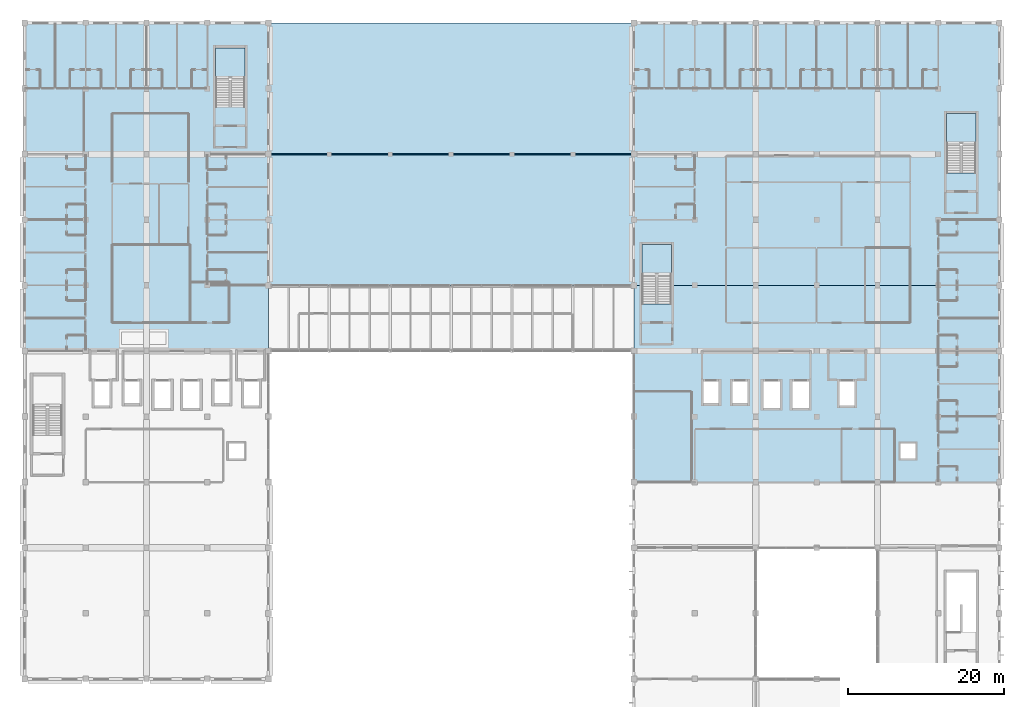
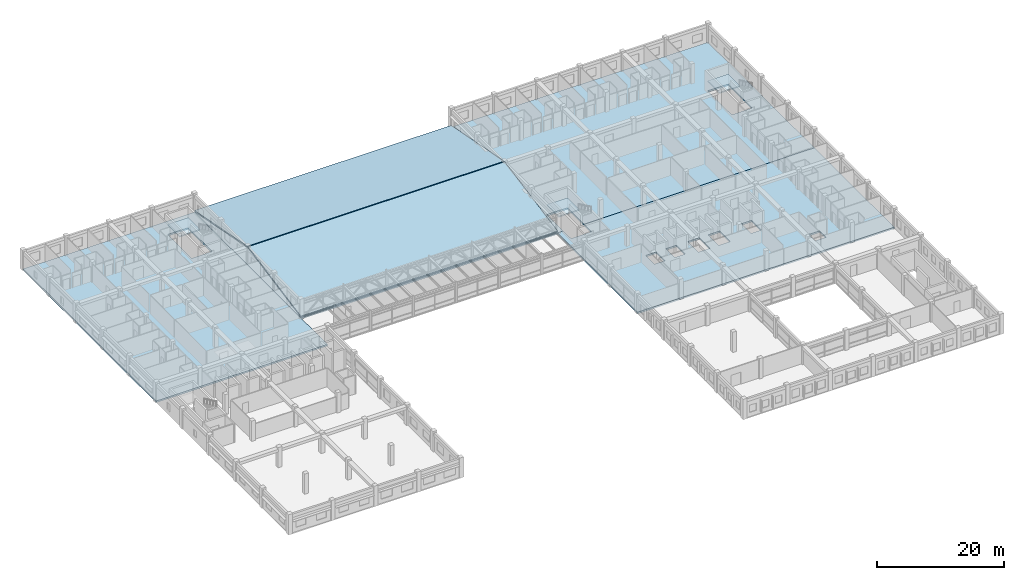
# One storey, part 43 of 72: 9 slabs, 3 elements without a shape of their own.
"""IFC4 building model written with IfcOpenShell, lengths in metres."""

from ifc_helpers import new_model, si_unit, direction, frame, origin, place, context, subcontext, project, spatial, polyline, outline, extrude, material, layer, layer_set, type_object, element, aggregate, save


model = new_model("IFC4")

# Units and contexts
model_context = context("Model", 3, precision=1e-05, world=origin(), true_north=direction((0.0, 1.0)))
body_context = subcontext(model_context, "Body", "Model", "MODEL_VIEW")
ifc_project = project(units=[si_unit("LENGTHUNIT", "METRE"), si_unit("AREAUNIT", "SQUARE_METRE"), si_unit("VOLUMEUNIT", "CUBIC_METRE"), si_unit("PLANEANGLEUNIT", "RADIAN"), si_unit("MASSUNIT", "GRAM", prefix="KILO"), si_unit("THERMODYNAMICTEMPERATUREUNIT", "KELVIN"), si_unit("POWERUNIT", "WATT")], contexts=[model_context])

# Site, building, storey
site_placement = place(None, origin())
site = spatial("IfcSite", under=ifc_project, at=site_placement, CompositionType="ELEMENT")
building_placement = place(site_placement, origin())
building = spatial("IfcBuilding", under=site, at=building_placement, Name="Srebrne Nadtorze General Hospital", CompositionType="ELEMENT")
storey_placement = place(building_placement, frame((0.0, 0.0, 22.199951171875)))
storey = spatial("IfcBuildingStorey", under=building, at=storey_placement, Name="L05", CompositionType="ELEMENT", Elevation=22.199951171875)

# Slabs
ifc_material_1 = material(Name="Concrete C35/45", Category="concrete")
ifc_layer_1 = layer(ifc_material_1, 0.27001953125)
ifc_layer_set_1 = layer_set([ifc_layer_1], Name="Concrete C35/45")
slab_type_1 = type_object("IfcSlabType", Name="Main roof slab 270", PredefinedType="ROOF", material=ifc_layer_set_1)
slab_1_placement = place(storey_placement, frame((0.0, 0.0, -0.27001953125)))
element("IfcSlab", 1, at=slab_1_placement, inside=storey, type_object=slab_type_1, Name="Volume ceiling roof slab RF-L04-01", PredefinedType="ROOF", context=body_context, shape_type="SweptSolid", body=[
    extrude(outline(polyline([(54.60009765625, 92.39990234375), (54.60009765625, 58.800048828125), (101.39990234375, 58.800048828125), (101.39990234375, 92.39990234375), (54.60009765625, 92.39990234375)])), origin(), (0.0, 0.0, 1.0), 0.27001953125),
])
ifc_material_2 = material(Name="Concrete C35/45", Category="concrete")
ifc_layer_2 = layer(ifc_material_2, 0.219970703125)
ifc_layer_set_2 = layer_set([ifc_layer_2], Name="Concrete C35/45")
slab_type_2 = type_object("IfcSlabType", Name="Pitched pavilion roof slab 220", PredefinedType="ROOF", material=ifc_layer_set_2)
for number, where, z_axis, x_axis, name in (
    (2, (54.60009765625, 58.800048828125, 0.35009765625), (0.0, -0.189674190771, 0.981847086544), (1.0, 0.0, 0.0), "Operating suite pitched roof slab RF-RP-SRG-S"),
    (3, (54.60009765625, 75.679931640625, 3.580078125), (0.0, 0.189674190771, 0.981847086544), (1.0, 0.0, 0.0), "Operating suite pitched roof slab RF-RP-SRG-N"),
):
    element("IfcSlab", number, at=place(storey_placement, frame(where, z_axis=z_axis, x_axis=x_axis)), inside=storey, type_object=slab_type_2, Name=name, PredefinedType="ROOF", context=body_context, shape_type="SweptSolid", body=[
        extrude(outline(polyline([(0.0, 0.0), (46.7998046875, 0.0), (46.7998046875, 17.029098453584226), (0.0, 17.029098453584226), (0.0, 0.0)])), origin(), (0.0, 0.0, -1.0), 0.219970703125),
    ])

# Stair, slab
ifc_material_3 = material(Name="Concrete C35/45", Category="concrete")
stair_type = type_object("IfcStairType", Name="Dog-leg escape stair 390", PredefinedType="HALF_TURN_STAIR", material=ifc_material_3)
stair_1_placement = place(storey_placement, origin())
stair_1 = element("IfcStair", 4, at=stair_1_placement, inside=storey, type_object=stair_type, Name="Escape stair ST-02-L05", PredefinedType="HALF_TURN_STAIR")
ifc_material_4 = material(Name="Concrete C35/45", Category="concrete")
ifc_layer_3 = layer(ifc_material_4, 0.219970703125)
ifc_layer_set_3 = layer_set([ifc_layer_3], Name="Concrete C35/45")
slab_type_3 = type_object("IfcSlabType", Name="Stair landing slab 220", PredefinedType="LANDING", material=ifc_layer_set_3)
slab_2_placement = place(storey_placement, frame((0.0, 0.0, 1.72998046875)))
slab_2 = element("IfcSlab", 5, at=slab_2_placement, type_object=slab_type_3, Name="ST-02 landing 1", PredefinedType="LANDING", context=body_context, shape_type="SweptSolid", body=[
    extrude(outline(polyline([(47.85009765625, 85.43994140625), (51.60009765625, 85.43994140625), (51.60009765625, 89.199951171875), (47.85009765625, 89.199951171875), (47.85009765625, 85.43994140625)])), origin(), (0.0, 0.0, 1.0), 0.219970703125),
])
aggregate(stair_1, [slab_2])

stair_2_placement = place(storey_placement, origin())
stair_2 = element("IfcStair", 6, at=stair_2_placement, inside=storey, type_object=stair_type, Name="Escape stair ST-03-L05", PredefinedType="HALF_TURN_STAIR")
slab_3_placement = place(storey_placement, frame((0.0, 0.0, 1.72998046875)))
slab_3 = element("IfcSlab", 7, at=slab_3_placement, type_object=slab_type_3, Name="ST-03 landing 1", PredefinedType="LANDING", context=body_context, shape_type="SweptSolid", body=[
    extrude(outline(polyline([(102.449951171875, 60.239990234375), (106.199951171875, 60.239990234375), (106.199951171875, 64.0), (102.449951171875, 64.0), (102.449951171875, 60.239990234375)])), origin(), (0.0, 0.0, 1.0), 0.219970703125),
])
aggregate(stair_2, [slab_3])

stair_3_placement = place(storey_placement, origin())
stair_3 = element("IfcStair", 8, at=stair_3_placement, inside=storey, type_object=stair_type, Name="Escape stair ST-04-L05", PredefinedType="HALF_TURN_STAIR")
slab_4_placement = place(storey_placement, frame((0.0, 0.0, 1.72998046875)))
slab_4 = element("IfcSlab", 9, at=slab_4_placement, type_object=slab_type_3, Name="ST-04 landing 1", PredefinedType="LANDING", context=body_context, shape_type="SweptSolid", body=[
    extrude(outline(polyline([(141.449951171875, 77.0400390625), (145.199951171875, 77.0400390625), (145.199951171875, 80.800048828125), (141.449951171875, 80.800048828125), (141.449951171875, 77.0400390625)])), origin(), (0.0, 0.0, 1.0), 0.219970703125),
])
aggregate(stair_3, [slab_4])

# Slabs
ifc_material_5 = material(Name="Concrete C35/45", Category="concrete")
ifc_layer_4 = layer(ifc_material_5, 0.31494140625)
ifc_layer_set_4 = layer_set([ifc_layer_4], Name="Concrete C35/45")
slab_type_4 = type_object("IfcSlabType", Name="Suspended floor slab 315", PredefinedType="FLOOR", material=ifc_layer_set_4)
slab_5_placement = place(storey_placement, frame((0.0, 0.0, -0.31494140625)))
element("IfcSlab", 10, at=slab_5_placement, inside=storey, type_object=slab_type_4, Name="Suspended floor slab SL-L05-WN", PredefinedType="FLOOR", context=body_context, shape_type="SweptSolid", body=[
    extrude(outline(polyline([(54.60009765625, 50.39990234375), (54.60009765625, 92.39990234375), (23.39990234375, 92.39990234375), (23.39990234375, 50.39990234375), (54.60009765625, 50.39990234375)]), holes=[polyline([(51.60009765625, 81.60498046875), (47.85009765625, 81.60498046875), (47.85009765625, 89.199951171875), (51.60009765625, 89.199951171875), (51.60009765625, 81.60498046875)])]), origin(), (0.0, 0.0, 1.0), 0.31494140625),
])
slab_6_placement = place(storey_placement, frame((0.0, 0.0, -0.31494140625)))
element("IfcSlab", 11, at=slab_6_placement, inside=storey, type_object=slab_type_4, Name="Suspended floor slab SL-L05-ES", PredefinedType="FLOOR", context=body_context, shape_type="SweptSolid", body=[
    extrude(outline(polyline([(106.199951171875, 58.800048828125), (106.199951171875, 56.405029296875), (102.449951171875, 56.405029296875), (102.449951171875, 58.800048828125), (101.39990234375, 58.800048828125), (101.39990234375, 33.60009765625), (148.199951171875, 33.60009765625), (148.199951171875, 58.800048828125), (106.199951171875, 58.800048828125)]), holes=[polyline([(135.5, 36.60009765625), (135.5, 38.60009765625), (137.5, 38.60009765625), (137.5, 36.60009765625), (135.5, 36.60009765625)]), polyline([(118.0, 43.110107421875), (118.0, 46.4599609375), (120.10009765625, 46.4599609375), (120.10009765625, 43.110107421875), (118.0, 43.110107421875)]), polyline([(123.800048828125, 43.110107421875), (121.699951171875, 43.110107421875), (121.699951171875, 46.4599609375), (123.800048828125, 46.4599609375), (123.800048828125, 43.110107421875)]), polyline([(129.64990234375, 43.409912109375), (127.75, 43.409912109375), (127.75, 46.4599609375), (129.64990234375, 46.4599609375), (129.64990234375, 43.409912109375)]), polyline([(112.25, 43.7099609375), (110.35009765625, 43.7099609375), (110.35009765625, 46.4599609375), (112.25, 46.4599609375), (112.25, 43.7099609375)]), polyline([(114.050048828125, 43.7099609375), (114.050048828125, 46.4599609375), (115.949951171875, 46.4599609375), (115.949951171875, 43.7099609375), (114.050048828125, 43.7099609375)])]), origin(), (0.0, 0.0, 1.0), 0.31494140625),
])
slab_7_placement = place(storey_placement, frame((0.0, 0.0, -0.31494140625)))
element("IfcSlab", 12, at=slab_7_placement, inside=storey, type_object=slab_type_4, Name="Suspended floor slab SL-L05-EN", PredefinedType="FLOOR", context=body_context, shape_type="SweptSolid", body=[
    extrude(outline(polyline([(102.449951171875, 58.800048828125), (102.449951171875, 64.0), (106.199951171875, 64.0), (106.199951171875, 58.800048828125), (148.199951171875, 58.800048828125), (148.199951171875, 92.39990234375), (101.39990234375, 92.39990234375), (101.39990234375, 58.800048828125), (102.449951171875, 58.800048828125)]), holes=[polyline([(141.449951171875, 73.205078125), (141.449951171875, 80.800048828125), (145.199951171875, 80.800048828125), (145.199951171875, 73.205078125), (141.449951171875, 73.205078125)])]), origin(), (0.0, 0.0, 1.0), 0.31494140625),
])

save(model, "model.ifc")
